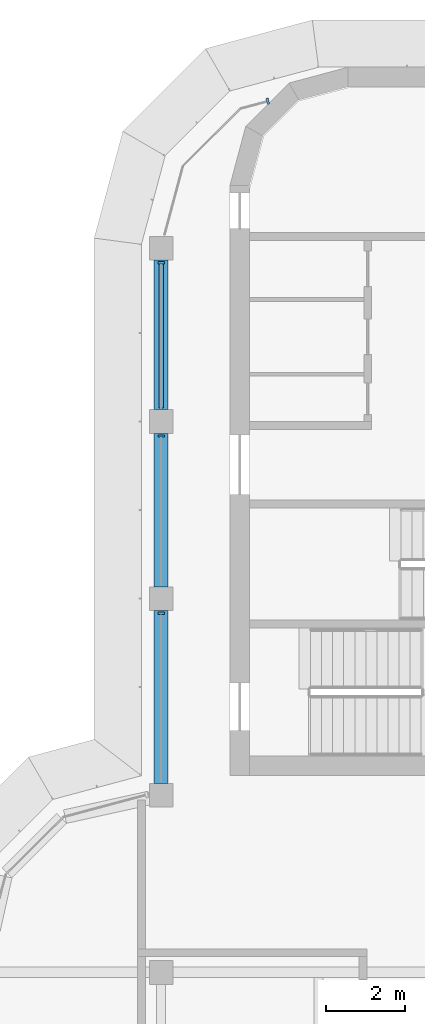
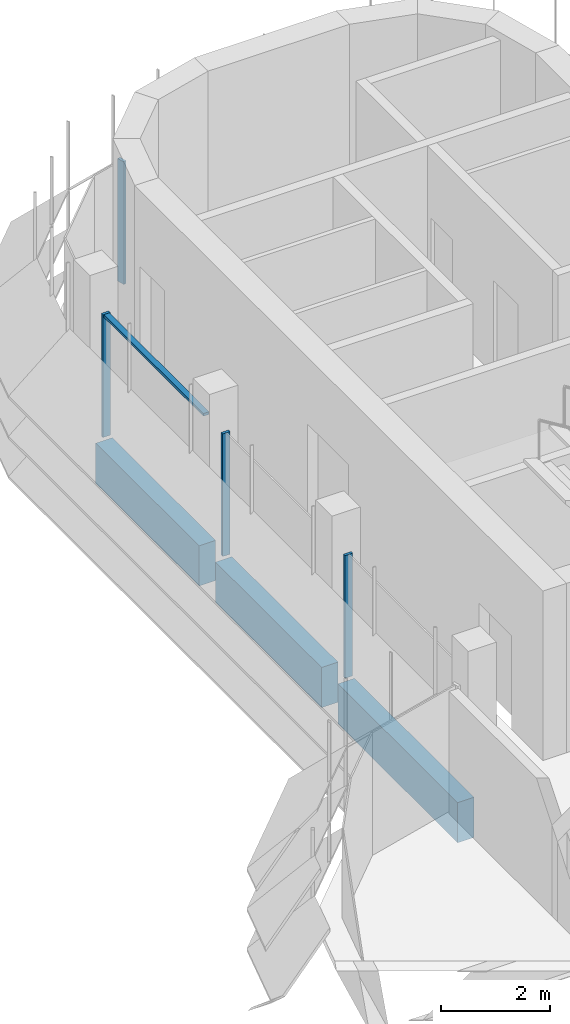
# One storey, part 7 of 19: 5 members, 3 beams, 2 elements without a shape of their own.
"""IFC4 building model written with IfcOpenShell, lengths in metres."""

from ifc_helpers import new_model, si_unit, direction, frame, origin, origin_2d, place, context, subcontext, project, spatial, polyline, rectangle, outline, extrude, source, transform, mapped, material, material_profile, profile_set, type_object, element, aggregate, save


model = new_model("IFC4")

# Units and contexts
model_context = context("Model", 3, precision=1e-05, world=origin(), true_north=direction((0.0, 1.0)))
body_context = subcontext(model_context, "Body", "Model", "MODEL_VIEW")
ifc_project = project(units=[si_unit("LENGTHUNIT", "METRE"), si_unit("AREAUNIT", "SQUARE_METRE"), si_unit("VOLUMEUNIT", "CUBIC_METRE"), si_unit("PLANEANGLEUNIT", "RADIAN"), si_unit("MASSUNIT", "GRAM", prefix="KILO")], contexts=[model_context])

# Site, building, storey
site_placement = place(None, origin())
site = spatial("IfcSite", under=ifc_project, at=site_placement, CompositionType="ELEMENT")
building_placement = place(site_placement, origin())
building = spatial("IfcBuilding", under=site, at=building_placement, Name="Zarbagh Exchange Tower", CompositionType="ELEMENT")
storey_placement = place(building_placement, frame((0.0, 0.0, 253.60009765625)))
storey = spatial("IfcBuildingStorey", under=building, at=storey_placement, Name="L62", CompositionType="ELEMENT", Elevation=253.60009765625)

# Beams
ifc_material_1 = material(Name="Concrete C40/50", Category="concrete")
ifc_material_profile = material_profile(ifc_material_1, rectangle(XDim=0.35009765625, YDim=0.89990234375, at=origin_2d()), Name="RC spandrel beam 350 x 900 C40/50")
ifc_profile_set = profile_set([ifc_material_profile], Name="Concrete C40/50")
beam_type = type_object("IfcBeamType", Name="RC spandrel beam 350 x 900 C40/50", PredefinedType="SPANDREL", material=ifc_profile_set)
beam_1_placement = place(storey_placement, frame((-6.25, 11.050048828125, -0.60009765625), z_axis=(0.0, 1.0, 0.0), x_axis=(-1.0, 0.0, 0.0)))
element("IfcBeam", 1, at=beam_1_placement, inside=storey, type_object=beam_type, Name="RC spandrel beam", PredefinedType="SPANDREL", context=body_context, shape_type="SweptSolid", body=[
    extrude(rectangle(XDim=0.35009765625, YDim=0.89990234375, at=origin_2d()), origin(), (0.0, 0.0, 1.0), 4.39990234375),
])
beam_2_placement = place(storey_placement, frame((-6.25, 16.050048828125, -0.60009765625), z_axis=(0.0, 1.0, 0.0), x_axis=(-1.0, 0.0, 0.0)))
element("IfcBeam", 2, at=beam_2_placement, inside=storey, type_object=beam_type, Name="RC spandrel beam", PredefinedType="SPANDREL", context=body_context, shape_type="SweptSolid", body=[
    extrude(rectangle(XDim=0.35009765625, YDim=0.89990234375, at=origin_2d()), origin(), (0.0, 0.0, 1.0), 3.89990234375),
])
beam_3_placement = place(storey_placement, frame((-6.25, 20.550048828125, -0.60009765625), z_axis=(0.0, 1.0, 0.0), x_axis=(-1.0, 0.0, 0.0)))
element("IfcBeam", 3, at=beam_3_placement, inside=storey, type_object=beam_type, Name="RC spandrel beam", PredefinedType="SPANDREL", context=body_context, shape_type="SweptSolid", body=[
    extrude(rectangle(XDim=0.35009765625, YDim=0.89990234375, at=origin_2d()), origin(), (0.0, 0.0, 1.0), 3.800048828125),
])

# Curtain wall, member
ifc_material_2 = material(Name="Anodised aluminium frame and glazing", Category="aluminium")
curtain_wall_type = type_object("IfcCurtainWallType", Name="CWB Ribbon glazing, upper zones", PredefinedType="NOTDEFINED", material=ifc_material_2)
curtain_wall_1_placement = place(storey_placement, origin())
curtain_wall_1 = element("IfcCurtainWall", 4, at=curtain_wall_1_placement, inside=storey, type_object=curtain_wall_type, Name="CWB70 curtain wall", PredefinedType="NOTDEFINED")
ifc_material_3 = material(Name="Anodised aluminium frame", Category="aluminium")
member_type_1 = type_object("IfcMemberType", Name="MUB Mullion, anodised aluminium frame", PredefinedType="MULLION", material=ifc_material_3)
shared_shape_1 = source(origin(), body_context, "Body", "SweptSolid", [
    extrude(outline(polyline([(0.0, -0.080078125), (0.06005859375, -0.080078125), (0.06005859375, 0.080078125), (0.0, 0.080078125), (0.0, -0.080078125)])), origin(), (0.0, 0.0, 1.0), 2.75),
])
placement = place(storey_placement, origin())
member_1 = element("IfcMember", 5, at=placement, type_object=member_type_1, Name="CWB70 mullion 1.1", PredefinedType="MULLION", context=body_context, shape_type="MappedRepresentation", body=[
    mapped(shared_shape_1, transform((-3.510009765625, 28.394775390625, 0.0), x_axis=(-0.965924289636, -0.258824779902, 0.0), y_axis=(0.258824779902, -0.965924289636, 0.0), z_axis=(0.0, 0.0, 1.0))),
])
aggregate(curtain_wall_1, [member_1])

# Curtain wall, members
curtain_wall_2_placement = place(storey_placement, origin())
curtain_wall_2 = element("IfcCurtainWall", 6, at=curtain_wall_2_placement, inside=storey, type_object=curtain_wall_type, Name="CWB73 curtain wall", PredefinedType="NOTDEFINED")
member_2 = element("IfcMember", 7, at=placement, type_object=member_type_1, Name="CWB73 mullion 1.1", PredefinedType="MULLION", context=body_context, shape_type="MappedRepresentation", body=[
    mapped(shared_shape_1, transform((-6.25, 24.31005859375, 0.0), x_axis=(0.0, -1.0, 0.0), y_axis=(1.0, 0.0, 0.0), z_axis=(0.0, 0.0, 1.0))),
])
member_3 = element("IfcMember", 8, at=placement, type_object=member_type_1, Name="CWB73 mullion 2.1", PredefinedType="MULLION", context=body_context, shape_type="MappedRepresentation", body=[
    mapped(shared_shape_1, transform((-6.25, 19.909912109375, 0.0), x_axis=(0.0, -1.0, 0.0), y_axis=(1.0, 0.0, 0.0), z_axis=(0.0, 0.0, 1.0))),
])
member_4 = element("IfcMember", 9, at=placement, type_object=member_type_1, Name="CWB73 mullion 3.1", PredefinedType="MULLION", context=body_context, shape_type="MappedRepresentation", body=[
    mapped(shared_shape_1, transform((-6.25, 15.409912109375, 0.0), x_axis=(0.0, -1.0, 0.0), y_axis=(1.0, 0.0, 0.0), z_axis=(0.0, 0.0, 1.0))),
])
member_type_2 = type_object("IfcMemberType", Name="TRB Transom, anodised aluminium frame", PredefinedType="USERDEFINED", material=ifc_material_3)
shared_shape_2 = source(origin(), body_context, "Body", "SweptSolid", [
    extrude(outline(polyline([(-0.06005859375, -0.06005859375), (0.0, -0.06005859375), (0.0, 0.06005859375), (-0.06005859375, 0.06005859375), (-0.06005859375, -0.06005859375)])), origin(), (0.0, 0.0, 1.0), 3.659912109375),
])
member_5 = element("IfcMember", 10, at=placement, type_object=member_type_2, Name="CWB73 transom 1.1", ObjectType="TRANSOM", PredefinedType="USERDEFINED", context=body_context, shape_type="MappedRepresentation", body=[
    mapped(shared_shape_2, transform((-6.25, 24.25, 2.75), x_axis=(0.0, 0.0, 1.0), y_axis=(-1.0, 0.0, 0.0), z_axis=(0.0, -1.0, 0.0))),
])
aggregate(curtain_wall_2, [member_2, member_5, member_3, member_4])

save(model, "model.ifc")
